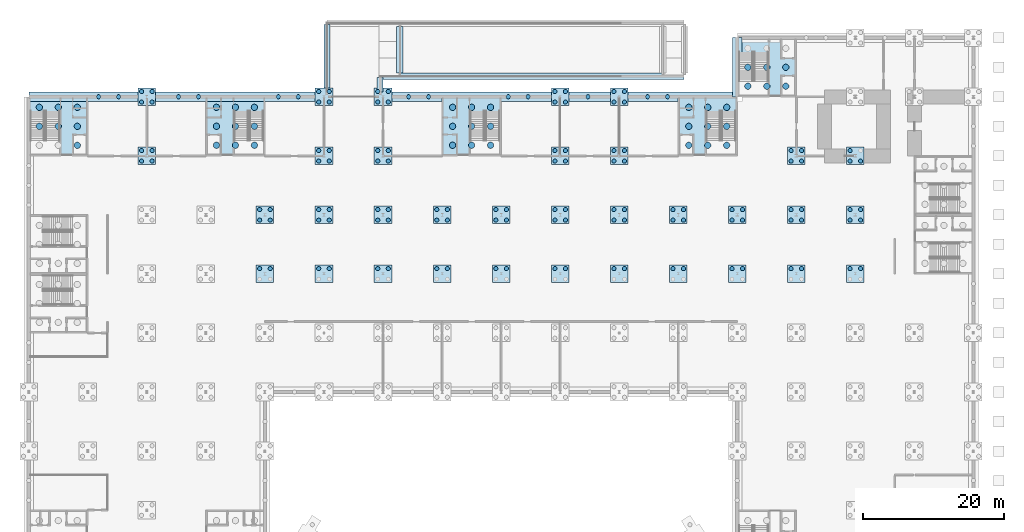
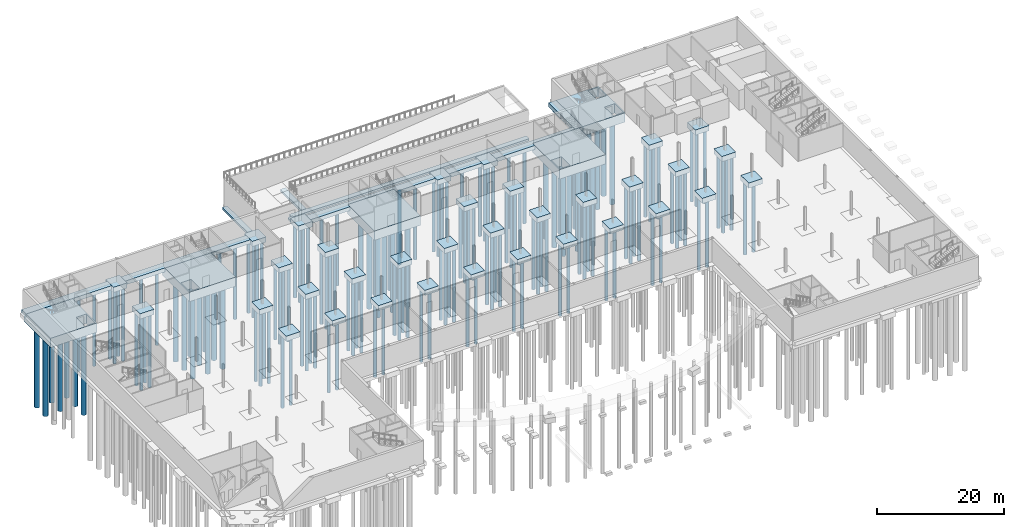
# One storey, part 3 of 35: 166 piles, 46 footings.
"""IFC4 building model written with IfcOpenShell, lengths in metres."""

import ifcopenshell
import ifcopenshell.guid

model = None  # the IFC model being written
_history = None  # IfcOwnerHistory: only IFC2X3 demands one
_inside = {}  # id of a spatial element -> (the spatial element, [elements in it])
_under = {}  # id of a project, library or spatial element -> (it, [spatial elements below it])
_declared = {}  # id of a project -> (the project, [libraries it declares])
_typed = {}  # id of a type object -> (the type object, [elements of that type])
_made_of = {}  # id of a material, layer set ... -> (it, [elements and type objects made of it])


def new_model(schema):
    """Start an empty IFC model of exactly this schema.

    Asked for "IFC4X3", IfcOpenShell would pick the latest addendum, in which some entities
    have other attributes; the version numbers below select the first issue.
    IFC2X3 requires an IfcOwnerHistory on every rooted entity: one is made here for all.
    """
    global model, _history
    if schema == "IFC4X3":
        model = ifcopenshell.file(schema_version=(4, 3, 0, 0))
    else:
        model = ifcopenshell.file(schema=schema)
    _inside.clear()
    _under.clear()
    _declared.clear()
    _typed.clear()
    _made_of.clear()
    _history = None
    if model.schema == "IFC2X3":
        org = make("IfcOrganization", Name="unknown")
        user = make(
            "IfcPersonAndOrganization",
            ThePerson=make("IfcPerson", FamilyName="unknown"),
            TheOrganization=org,
        )
        app = make(
            "IfcApplication",
            ApplicationDeveloper=org,
            Version="unknown",
            ApplicationFullName="unknown",
            ApplicationIdentifier="unknown",
        )
        _history = make(
            "IfcOwnerHistory",
            OwningUser=user,
            OwningApplication=app,
            ChangeAction="ADDED",
            CreationDate=0,
        )
    return model


def make(cls, **values):
    """One entity of the class cls with the attributes given. An attribute that is None is left unset."""
    return model.create_entity(
        cls, **{name: value for name, value in values.items() if value is not None}
    )


def rooted(cls, **values):
    """An entity with a GlobalId (a new one), such as an element, a storey or a relation."""
    return make(cls, GlobalId=ifcopenshell.guid.new(), OwnerHistory=_history, **values)


def si_unit(unit_type, name, prefix=None):
    """IfcSIUnit, for example si_unit("LENGTHUNIT", "METRE", prefix="MILLI")."""
    return make("IfcSIUnit", UnitType=unit_type, Prefix=prefix, Name=name)


def assignment(units):
    """IfcUnitAssignment: the units of a project."""
    return None if units is None else make("IfcUnitAssignment", Units=units)


def point(xyz):
    """IfcCartesianPoint."""
    return None if xyz is None else make("IfcCartesianPoint", Coordinates=xyz)


def direction(xyz):
    """IfcDirection."""
    return None if xyz is None else make("IfcDirection", DirectionRatios=xyz)


def frame(location, z_axis=None, x_axis=None):
    """IfcAxis2Placement3D, a coordinate frame: its origin and axes. An axis left out is left unset."""
    return make(
        "IfcAxis2Placement3D",
        Location=point(location),
        Axis=direction(z_axis),
        RefDirection=direction(x_axis),
    )


def frame_2d(location, x_axis=None):
    """IfcAxis2Placement2D, a coordinate frame in the plane: its origin and x axis."""
    return make(
        "IfcAxis2Placement2D", Location=point(location), RefDirection=direction(x_axis)
    )


def origin():
    """The frame at (0, 0, 0) with its axes left unset."""
    return frame((0.0, 0.0, 0.0))


def origin_2d():
    """The frame at (0, 0) in the plane with its x axis left unset."""
    return frame_2d((0.0, 0.0))


def place(relative_to, where):
    """IfcLocalPlacement: puts the frame where relative to a parent placement (None: the world)."""
    return make(
        "IfcLocalPlacement", PlacementRelTo=relative_to, RelativePlacement=where
    )


def context(
    kind, dimensions, precision=None, world=None, true_north=None, identifier=None
):
    """IfcGeometricRepresentationContext, for example the 3D "Model" context."""
    return make(
        "IfcGeometricRepresentationContext",
        ContextIdentifier=identifier,
        ContextType=kind,
        CoordinateSpaceDimension=dimensions,
        Precision=precision,
        WorldCoordinateSystem=world,
        TrueNorth=true_north,
    )


def subcontext(parent, identifier, kind, view, scale=None):
    """IfcGeometricRepresentationSubContext, for example "Body" below "Model"."""
    return make(
        "IfcGeometricRepresentationSubContext",
        ContextIdentifier=identifier,
        ContextType=kind,
        ParentContext=parent,
        TargetScale=scale,
        TargetView=view,
    )


def project(units=None, contexts=None):
    """IfcProject with its units and contexts."""
    return rooted(
        "IfcProject",
        Name="project",
        RepresentationContexts=contexts,
        UnitsInContext=assignment(units),
    )


def spatial(cls, under=None, at=None, **own):
    """A site, building, storey or space (cls), placed at a placement, below another one or the project."""
    s = rooted(cls, ObjectPlacement=at, **own)
    if under is not None:
        _under.setdefault(under.id(), (under, []))[1].append(s)
    return s


def polyline(points):
    """IfcPolyline through the points."""
    return make("IfcPolyline", Points=[point(p) for p in points])


def profile(cls, at=None, kind="AREA", **sizes):
    """A parametric profile (cls). Its sizes go by their IFC names, for example OverallWidth=200.0."""
    return make(cls, ProfileType=kind, Position=at, **sizes)


def rectangle(**sizes):
    """IfcRectangleProfileDef."""
    return profile("IfcRectangleProfileDef", **sizes)


def circle(**sizes):
    """IfcCircleProfileDef."""
    return profile("IfcCircleProfileDef", **sizes)


def outline(outer, holes=None, kind="AREA"):
    """IfcArbitraryClosedProfileDef: a profile drawn as a closed curve; with holes, ...WithVoids."""
    if holes is None:
        return make("IfcArbitraryClosedProfileDef", ProfileType=kind, OuterCurve=outer)
    return make(
        "IfcArbitraryProfileDefWithVoids",
        ProfileType=kind,
        OuterCurve=outer,
        InnerCurves=holes,
    )


def extrude(swept, where, along, depth):
    """IfcExtrudedAreaSolid: the profile swept, set in the frame where, extruded along a direction by depth."""
    return make(
        "IfcExtrudedAreaSolid",
        SweptArea=swept,
        Position=where,
        ExtrudedDirection=direction(along),
        Depth=depth,
    )


def shape(context_of_items, identifier, shape_type, items):
    """IfcShapeRepresentation: the items that make up one representation, for example the "Body"."""
    return make(
        "IfcShapeRepresentation",
        ContextOfItems=context_of_items,
        RepresentationIdentifier=identifier,
        RepresentationType=shape_type,
        Items=items,
    )


def material(Name=None, Category=None):
    """IfcMaterial."""
    return make("IfcMaterial", Name=Name, Category=Category)


def material_profile(
    of_material, cross_section, Name=None, Category=None, Priority=None
):
    """IfcMaterialProfile: a cross section and its material."""
    return make(
        "IfcMaterialProfile",
        Name=Name,
        Material=of_material,
        Profile=cross_section,
        Priority=Priority,
        Category=Category,
    )


def profile_set(profiles, Name=None, composite=None):
    """IfcMaterialProfileSet."""
    return make(
        "IfcMaterialProfileSet",
        Name=Name,
        MaterialProfiles=profiles,
        CompositeProfile=composite,
    )


def made_of(thing, what):
    """Note that an element or type object is made of a material, layer set ...; save() writes the relation."""
    if what is not None:
        _made_of.setdefault(what.id(), (what, []))[1].append(thing)
    return thing


def type_object(cls, material=None, **own):
    """A type object (cls), such as IfcWallType, which elements share."""
    return made_of(rooted(cls, **own), material)


def element(
    cls,
    number,
    at=None,
    inside=None,
    cuts=None,
    type_object=None,
    material=None,
    context=None,
    identifier="Body",
    shape_type=None,
    held_by="IfcProductDefinitionShape",
    body=None,
    shapes=None,
    **own,
):
    """One element of the class cls, such as IfcWall. Its Tag is "e" and its number.

    at: its placement. inside: the storey or other place that contains it. cuts: it is an
    opening in that element (IfcRelVoidsElement). A single representation is given by context,
    identifier, shape_type and body (its items); several are given by shapes. held_by: the class
    of the entity that holds the representations. save() writes the other relations.
    """
    e = rooted(cls, Tag="e%d" % number, ObjectPlacement=at, **own)
    if body is not None:
        shapes = [shape(context, identifier, shape_type, body)]
    if shapes is not None:
        e.Representation = make(held_by, Representations=shapes)
    if inside is not None:
        _inside.setdefault(inside.id(), (inside, []))[1].append(e)
    if cuts is not None:
        rooted(
            "IfcRelVoidsElement", RelatingBuildingElement=cuts, RelatedOpeningElement=e
        )
    if type_object is not None:
        _typed.setdefault(type_object.id(), (type_object, []))[1].append(e)
    return made_of(e, material)


def aggregate(whole, parts):
    """IfcRelAggregates: a whole, such as a stair, and the parts it consists of."""
    return rooted("IfcRelAggregates", RelatingObject=whole, RelatedObjects=parts)


def save(model, path):
    """Write the relations noted so far, then the file.

    IfcRelAggregates (storeys below a building ...), IfcRelContainedInSpatialStructure (elements
    in a storey), IfcRelDefinesByType, IfcRelAssociatesMaterial and IfcRelDeclares: one each for
    every whole, place, type object, material and project.
    """
    for whole, parts in _under.values():
        aggregate(whole, parts)
    for where, things in _inside.values():
        rooted(
            "IfcRelContainedInSpatialStructure",
            RelatedElements=things,
            RelatingStructure=where,
        )
    for kind, things in _typed.values():
        rooted("IfcRelDefinesByType", RelatedObjects=things, RelatingType=kind)
    for what, things in _made_of.values():
        rooted("IfcRelAssociatesMaterial", RelatedObjects=things, RelatingMaterial=what)
    for by, libraries in _declared.values():
        rooted("IfcRelDeclares", RelatingContext=by, RelatedDefinitions=libraries)
    model.write(path)


model = new_model("IFC4")

# Units and contexts
model_context = context("Model", 3, precision=1e-05, world=origin(), true_north=direction((0.0, 1.0)))
body_context = subcontext(model_context, "Body", "Model", "MODEL_VIEW")
ifc_project = project(units=[si_unit("LENGTHUNIT", "METRE"), si_unit("AREAUNIT", "SQUARE_METRE"), si_unit("VOLUMEUNIT", "CUBIC_METRE"), si_unit("PLANEANGLEUNIT", "RADIAN"), si_unit("MASSUNIT", "GRAM", prefix="KILO")], contexts=[model_context])

# Site, building, storey
site_placement = place(None, origin())
site = spatial("IfcSite", under=ifc_project, at=site_placement, CompositionType="ELEMENT")
building_placement = place(site_placement, origin())
building = spatial("IfcBuilding", under=site, at=building_placement, Name="Ardhachandra Cancer Care Centre", CompositionType="ELEMENT")
storey_placement = place(building_placement, frame((0.0, 0.0, -4.5)))
storey = spatial("IfcBuildingStorey", under=building, at=storey_placement, Name="B1", CompositionType="ELEMENT", Elevation=-4.5)

# Piles
ifc_material_1 = material(Name="Concrete M35", Category="concrete")
ifc_material_profile_1 = material_profile(ifc_material_1, circle(Radius=0.300048828125, at=origin_2d()), Name="D600")
ifc_profile_set_1 = profile_set([ifc_material_profile_1], Name="Concrete M35")
pile_type_1 = type_object("IfcPileType", Name="Bored pile D600", PredefinedType="BORED", material=ifc_profile_set_1)
for number, where, z_axis, x_axis, name in (
    (1, (43.64990234375, 72.14990234375, -0.89990234375), (0.0, 0.0, -1.0), (1.0, 0.0, 0.0), "Pile H5-3"),
    (2, (45.14990234375, 72.14990234375, -0.89990234375), (0.0, 0.0, -1.0), (1.0, 0.0, 0.0), "Pile H5-4"),
    (3, (52.050048828125, 72.14990234375, -0.89990234375), (0.0, 0.0, -1.0), (1.0, 0.0, 0.0), "Pile H6-3"),
    (4, (53.550048828125, 72.14990234375, -0.89990234375), (0.0, 0.0, -1.0), (1.0, 0.0, 0.0), "Pile H6-4"),
    (5, (60.449951171875, 72.14990234375, -0.89990234375), (0.0, 0.0, -1.0), (1.0, 0.0, 0.0), "Pile H7-3"),
    (6, (61.949951171875, 72.14990234375, -0.89990234375), (0.0, 0.0, -1.0), (1.0, 0.0, 0.0), "Pile H7-4"),
    (7, (68.85009765625, 72.14990234375, -0.89990234375), (0.0, 0.0, -1.0), (1.0, 0.0, 0.0), "Pile H8-3"),
    (8, (70.35009765625, 72.14990234375, -0.89990234375), (0.0, 0.0, -1.0), (1.0, 0.0, 0.0), "Pile H8-4"),
    (9, (77.25, 72.14990234375, -0.89990234375), (0.0, 0.0, -1.0), (1.0, 0.0, 0.0), "Pile H9-3"),
    (10, (78.75, 72.14990234375, -0.89990234375), (0.0, 0.0, -1.0), (1.0, 0.0, 0.0), "Pile H9-4"),
    (11, (85.64990234375, 72.14990234375, -0.89990234375), (0.0, 0.0, -1.0), (1.0, 0.0, 0.0), "Pile H10-3"),
    (12, (87.14990234375, 72.14990234375, -0.89990234375), (0.0, 0.0, -1.0), (1.0, 0.0, 0.0), "Pile H10-4"),
    (13, (94.050048828125, 72.14990234375, -0.89990234375), (0.0, 0.0, -1.0), (1.0, 0.0, 0.0), "Pile H11-3"),
    (14, (95.550048828125, 72.14990234375, -0.89990234375), (0.0, 0.0, -1.0), (1.0, 0.0, 0.0), "Pile H11-4"),
    (15, (102.449951171875, 72.14990234375, -0.89990234375), (0.0, 0.0, -1.0), (1.0, 0.0, 0.0), "Pile H12-3"),
    (16, (103.949951171875, 72.14990234375, -0.89990234375), (0.0, 0.0, -1.0), (1.0, 0.0, 0.0), "Pile H12-4"),
    (17, (110.85009765625, 72.14990234375, -0.89990234375), (0.0, 0.0, -1.0), (1.0, 0.0, 0.0), "Pile H13-3"),
    (18, (112.35009765625, 72.14990234375, -0.89990234375), (0.0, 0.0, -1.0), (1.0, 0.0, 0.0), "Pile H13-4"),
    (19, (119.25, 72.14990234375, -0.89990234375), (0.0, 0.0, -1.0), (1.0, 0.0, 0.0), "Pile H14-3"),
    (20, (120.75, 72.14990234375, -0.89990234375), (0.0, 0.0, -1.0), (1.0, 0.0, 0.0), "Pile H14-4"),
    (21, (127.64990234375, 72.14990234375, -0.89990234375), (0.0, 0.0, -1.0), (1.0, 0.0, 0.0), "Pile H15-3"),
    (22, (129.14990234375, 72.14990234375, -0.89990234375), (0.0, 0.0, -1.0), (1.0, 0.0, 0.0), "Pile H15-4"),
    (23, (43.64990234375, 79.050048828125, -0.89990234375), (0.0, 0.0, -1.0), (1.0, 0.0, 0.0), "Pile J5-1"),
    (24, (45.14990234375, 79.050048828125, -0.89990234375), (0.0, 0.0, -1.0), (1.0, 0.0, 0.0), "Pile J5-2"),
    (25, (43.64990234375, 80.550048828125, -0.89990234375), (0.0, 0.0, -1.0), (1.0, 0.0, 0.0), "Pile J5-3"),
    (26, (45.14990234375, 80.550048828125, -0.89990234375), (0.0, 0.0, -1.0), (1.0, 0.0, 0.0), "Pile J5-4"),
    (27, (52.050048828125, 79.050048828125, -0.89990234375), (0.0, 0.0, -1.0), (1.0, 0.0, 0.0), "Pile J6-1"),
    (28, (53.550048828125, 79.050048828125, -0.89990234375), (0.0, 0.0, -1.0), (1.0, 0.0, 0.0), "Pile J6-2"),
    (29, (52.050048828125, 80.550048828125, -0.89990234375), (0.0, 0.0, -1.0), (1.0, 0.0, 0.0), "Pile J6-3"),
    (30, (53.550048828125, 80.550048828125, -0.89990234375), (0.0, 0.0, -1.0), (1.0, 0.0, 0.0), "Pile J6-4"),
    (31, (60.449951171875, 79.050048828125, -0.89990234375), (0.0, 0.0, -1.0), (1.0, 0.0, 0.0), "Pile J7-1"),
    (32, (61.949951171875, 79.050048828125, -0.89990234375), (0.0, 0.0, -1.0), (1.0, 0.0, 0.0), "Pile J7-2"),
    (33, (60.449951171875, 80.550048828125, -0.89990234375), (0.0, 0.0, -1.0), (1.0, 0.0, 0.0), "Pile J7-3"),
    (34, (61.949951171875, 80.550048828125, -0.89990234375), (0.0, 0.0, -1.0), (1.0, 0.0, 0.0), "Pile J7-4"),
    (35, (68.85009765625, 79.050048828125, -0.89990234375), (0.0, 0.0, -1.0), (1.0, 0.0, 0.0), "Pile J8-1"),
    (36, (70.35009765625, 79.050048828125, -0.89990234375), (0.0, 0.0, -1.0), (1.0, 0.0, 0.0), "Pile J8-2"),
    (37, (68.85009765625, 80.550048828125, -0.89990234375), (0.0, 0.0, -1.0), (1.0, 0.0, 0.0), "Pile J8-3"),
    (38, (70.35009765625, 80.550048828125, -0.89990234375), (0.0, 0.0, -1.0), (1.0, 0.0, 0.0), "Pile J8-4"),
    (39, (77.25, 79.050048828125, -0.89990234375), (0.0, 0.0, -1.0), (1.0, 0.0, 0.0), "Pile J9-1"),
    (40, (78.75, 79.050048828125, -0.89990234375), (0.0, 0.0, -1.0), (1.0, 0.0, 0.0), "Pile J9-2"),
    (41, (77.25, 80.550048828125, -0.89990234375), (0.0, 0.0, -1.0), (1.0, 0.0, 0.0), "Pile J9-3"),
    (42, (78.75, 80.550048828125, -0.89990234375), (0.0, 0.0, -1.0), (1.0, 0.0, 0.0), "Pile J9-4"),
    (43, (85.64990234375, 79.050048828125, -0.89990234375), (0.0, 0.0, -1.0), (1.0, 0.0, 0.0), "Pile J10-1"),
    (44, (87.14990234375, 79.050048828125, -0.89990234375), (0.0, 0.0, -1.0), (1.0, 0.0, 0.0), "Pile J10-2"),
    (45, (85.64990234375, 80.550048828125, -0.89990234375), (0.0, 0.0, -1.0), (1.0, 0.0, 0.0), "Pile J10-3"),
    (46, (87.14990234375, 80.550048828125, -0.89990234375), (0.0, 0.0, -1.0), (1.0, 0.0, 0.0), "Pile J10-4"),
    (47, (94.050048828125, 79.050048828125, -0.89990234375), (0.0, 0.0, -1.0), (1.0, 0.0, 0.0), "Pile J11-1"),
    (48, (95.550048828125, 79.050048828125, -0.89990234375), (0.0, 0.0, -1.0), (1.0, 0.0, 0.0), "Pile J11-2"),
    (49, (94.050048828125, 80.550048828125, -0.89990234375), (0.0, 0.0, -1.0), (1.0, 0.0, 0.0), "Pile J11-3"),
    (50, (95.550048828125, 80.550048828125, -0.89990234375), (0.0, 0.0, -1.0), (1.0, 0.0, 0.0), "Pile J11-4"),
    (51, (102.449951171875, 79.050048828125, -0.89990234375), (0.0, 0.0, -1.0), (1.0, 0.0, 0.0), "Pile J12-1"),
    (52, (103.949951171875, 79.050048828125, -0.89990234375), (0.0, 0.0, -1.0), (1.0, 0.0, 0.0), "Pile J12-2"),
    (53, (102.449951171875, 80.550048828125, -0.89990234375), (0.0, 0.0, -1.0), (1.0, 0.0, 0.0), "Pile J12-3"),
    (54, (103.949951171875, 80.550048828125, -0.89990234375), (0.0, 0.0, -1.0), (1.0, 0.0, 0.0), "Pile J12-4"),
    (55, (110.85009765625, 79.050048828125, -0.89990234375), (0.0, 0.0, -1.0), (1.0, 0.0, 0.0), "Pile J13-1"),
    (56, (112.35009765625, 79.050048828125, -0.89990234375), (0.0, 0.0, -1.0), (1.0, 0.0, 0.0), "Pile J13-2"),
    (57, (110.85009765625, 80.550048828125, -0.89990234375), (0.0, 0.0, -1.0), (1.0, 0.0, 0.0), "Pile J13-3"),
    (58, (112.35009765625, 80.550048828125, -0.89990234375), (0.0, 0.0, -1.0), (1.0, 0.0, 0.0), "Pile J13-4"),
    (59, (119.25, 79.050048828125, -0.89990234375), (0.0, 0.0, -1.0), (1.0, 0.0, 0.0), "Pile J14-1"),
    (60, (120.75, 79.050048828125, -0.89990234375), (0.0, 0.0, -1.0), (1.0, 0.0, 0.0), "Pile J14-2"),
    (61, (119.25, 80.550048828125, -0.89990234375), (0.0, 0.0, -1.0), (1.0, 0.0, 0.0), "Pile J14-3"),
    (62, (120.75, 80.550048828125, -0.89990234375), (0.0, 0.0, -1.0), (1.0, 0.0, 0.0), "Pile J14-4"),
    (63, (127.64990234375, 79.050048828125, -0.89990234375), (0.0, 0.0, -1.0), (1.0, 0.0, 0.0), "Pile J15-1"),
    (64, (129.14990234375, 79.050048828125, -0.89990234375), (0.0, 0.0, -1.0), (1.0, 0.0, 0.0), "Pile J15-2"),
    (65, (127.64990234375, 80.550048828125, -0.89990234375), (0.0, 0.0, -1.0), (1.0, 0.0, 0.0), "Pile J15-3"),
    (66, (129.14990234375, 80.550048828125, -0.89990234375), (0.0, 0.0, -1.0), (1.0, 0.0, 0.0), "Pile J15-4"),
    (67, (26.85009765625, 87.449951171875, -0.89990234375), (0.0, 0.0, -1.0), (1.0, 0.0, 0.0), "Pile K3-1"),
    (68, (28.35009765625, 87.449951171875, -0.89990234375), (0.0, 0.0, -1.0), (1.0, 0.0, 0.0), "Pile K3-2"),
    (69, (26.85009765625, 88.949951171875, -0.89990234375), (0.0, 0.0, -1.0), (1.0, 0.0, 0.0), "Pile K3-3"),
    (70, (28.35009765625, 88.949951171875, -0.89990234375), (0.0, 0.0, -1.0), (1.0, 0.0, 0.0), "Pile K3-4"),
    (71, (52.050048828125, 87.449951171875, -0.89990234375), (0.0, 0.0, -1.0), (1.0, 0.0, 0.0), "Pile K6-1"),
    (72, (53.550048828125, 87.449951171875, -0.89990234375), (0.0, 0.0, -1.0), (1.0, 0.0, 0.0), "Pile K6-2"),
    (73, (52.050048828125, 88.949951171875, -0.89990234375), (0.0, 0.0, -1.0), (1.0, 0.0, 0.0), "Pile K6-3"),
    (74, (53.550048828125, 88.949951171875, -0.89990234375), (0.0, 0.0, -1.0), (1.0, 0.0, 0.0), "Pile K6-4"),
    (75, (60.449951171875, 87.449951171875, -0.89990234375), (0.0, 0.0, -1.0), (1.0, 0.0, 0.0), "Pile K7-1"),
    (76, (61.949951171875, 87.449951171875, -0.89990234375), (0.0, 0.0, -1.0), (1.0, 0.0, 0.0), "Pile K7-2"),
    (77, (60.449951171875, 88.949951171875, -0.89990234375), (0.0, 0.0, -1.0), (1.0, 0.0, 0.0), "Pile K7-3"),
    (78, (61.949951171875, 88.949951171875, -0.89990234375), (0.0, 0.0, -1.0), (1.0, 0.0, 0.0), "Pile K7-4"),
    (79, (85.64990234375, 87.449951171875, -0.89990234375), (0.0, 0.0, -1.0), (1.0, 0.0, 0.0), "Pile K10-1"),
    (80, (87.14990234375, 87.449951171875, -0.89990234375), (0.0, 0.0, -1.0), (1.0, 0.0, 0.0), "Pile K10-2"),
    (81, (85.64990234375, 88.949951171875, -0.89990234375), (0.0, 0.0, -1.0), (1.0, 0.0, 0.0), "Pile K10-3"),
    (82, (87.14990234375, 88.949951171875, -0.89990234375), (0.0, 0.0, -1.0), (1.0, 0.0, 0.0), "Pile K10-4"),
    (83, (94.050048828125, 87.449951171875, -0.89990234375), (0.0, 0.0, -1.0), (1.0, 0.0, 0.0), "Pile K11-1"),
    (84, (95.550048828125, 87.449951171875, -0.89990234375), (0.0, 0.0, -1.0), (1.0, 0.0, 0.0), "Pile K11-2"),
    (85, (94.050048828125, 88.949951171875, -0.89990234375), (0.0, 0.0, -1.0), (1.0, 0.0, 0.0), "Pile K11-3"),
    (86, (95.550048828125, 88.949951171875, -0.89990234375), (0.0, 0.0, -1.0), (1.0, 0.0, 0.0), "Pile K11-4"),
    (87, (119.25, 87.449951171875, -0.89990234375), (0.0, 0.0, -1.0), (1.0, 0.0, 0.0), "Pile K14-1"),
    (88, (120.75, 87.449951171875, -0.89990234375), (0.0, 0.0, -1.0), (1.0, 0.0, 0.0), "Pile K14-2"),
    (89, (119.25, 88.949951171875, -0.89990234375), (0.0, 0.0, -1.0), (1.0, 0.0, 0.0), "Pile K14-3"),
    (90, (120.75, 88.949951171875, -0.89990234375), (0.0, 0.0, -1.0), (1.0, 0.0, 0.0), "Pile K14-4"),
    (91, (127.64990234375, 87.449951171875, -0.89990234375), (0.0, 0.0, -1.0), (1.0, 0.0, 0.0), "Pile K15-1"),
    (92, (129.14990234375, 87.449951171875, -0.89990234375), (0.0, 0.0, -1.0), (1.0, 0.0, 0.0), "Pile K15-2"),
    (93, (127.64990234375, 88.949951171875, -0.89990234375), (0.0, 0.0, -1.0), (1.0, 0.0, 0.0), "Pile K15-3"),
    (94, (26.85009765625, 95.85009765625, -0.89990234375), (0.0, 0.0, -1.0), (1.0, 0.0, 0.0), "Pile L3-1"),
    (95, (28.35009765625, 95.85009765625, -0.89990234375), (0.0, 0.0, -1.0), (1.0, 0.0, 0.0), "Pile L3-2"),
    (96, (26.85009765625, 97.35009765625, -0.89990234375), (0.0, 0.0, -1.0), (1.0, 0.0, 0.0), "Pile L3-3"),
    (97, (28.35009765625, 97.35009765625, -0.89990234375), (0.0, 0.0, -1.0), (1.0, 0.0, 0.0), "Pile L3-4"),
    (98, (52.050048828125, 95.85009765625, -0.89990234375), (0.0, 0.0, -1.0), (1.0, 0.0, 0.0), "Pile L6-1"),
    (99, (53.550048828125, 95.85009765625, -0.89990234375), (0.0, 0.0, -1.0), (1.0, 0.0, 0.0), "Pile L6-2"),
    (100, (52.050048828125, 97.35009765625, -0.89990234375), (0.0, 0.0, -1.0), (1.0, 0.0, 0.0), "Pile L6-3"),
    (101, (53.550048828125, 97.35009765625, -0.89990234375), (0.0, 0.0, -1.0), (1.0, 0.0, 0.0), "Pile L6-4"),
    (102, (60.449951171875, 95.85009765625, -0.89990234375), (0.0, 0.0, -1.0), (1.0, 0.0, 0.0), "Pile L7-1"),
    (103, (61.949951171875, 95.85009765625, -0.89990234375), (0.0, 0.0, -1.0), (1.0, 0.0, 0.0), "Pile L7-2"),
    (104, (60.449951171875, 97.35009765625, -0.89990234375), (0.0, 0.0, -1.0), (1.0, 0.0, 0.0), "Pile L7-3"),
    (105, (61.949951171875, 97.35009765625, -0.89990234375), (0.0, 0.0, -1.0), (1.0, 0.0, 0.0), "Pile L7-4"),
    (106, (85.64990234375, 95.85009765625, -0.89990234375), (0.0, 0.0, -1.0), (1.0, 0.0, 0.0), "Pile L10-1"),
    (107, (87.14990234375, 95.85009765625, -0.89990234375), (0.0, 0.0, -1.0), (1.0, 0.0, 0.0), "Pile L10-2"),
    (108, (85.64990234375, 97.35009765625, -0.89990234375), (0.0, 0.0, -1.0), (1.0, 0.0, 0.0), "Pile L10-3"),
    (109, (87.14990234375, 97.35009765625, -0.89990234375), (0.0, 0.0, -1.0), (1.0, 0.0, 0.0), "Pile L10-4"),
    (110, (94.050048828125, 95.85009765625, -0.89990234375), (0.0, 0.0, -1.0), (1.0, 0.0, 0.0), "Pile L11-1"),
    (111, (95.550048828125, 95.85009765625, -0.89990234375), (0.0, 0.0, -1.0), (1.0, 0.0, 0.0), "Pile L11-2"),
    (112, (94.050048828125, 97.35009765625, -0.89990234375), (0.0, 0.0, -1.0), (1.0, 0.0, 0.0), "Pile L11-3"),
    (113, (95.550048828125, 97.35009765625, -0.89990234375), (0.0, 0.0, -1.0), (1.0, 0.0, 0.0), "Pile L11-4"),
    (114, (101.683349609375, 96.60009765625, -0.64990234375), (0.0, 0.0, -1.0), (1.0, 0.0, 0.0), "Pile W07-04"),
    (115, (98.85009765625, 96.60009765625, -0.64990234375), (0.0, 0.0, -1.0), (1.0, 0.0, 0.0), "Pile W07-05"),
    (116, (90.35009765625, 96.60009765625, -0.64990234375), (0.0, 0.0, -1.0), (1.0, 0.0, 0.0), "Pile W07-08"),
    (117, (81.85009765625, 96.60009765625, -0.64990234375), (0.0, 0.0, -1.0), (1.0, 0.0, 0.0), "Pile W07-11"),
    (118, (79.0166015625, 96.60009765625, -0.64990234375), (0.0, 0.0, -1.0), (1.0, 0.0, 0.0), "Pile W07-12"),
    (119, (67.683349609375, 96.60009765625, -0.64990234375), (0.0, 0.0, -1.0), (1.0, 0.0, 0.0), "Pile W07-16"),
    (120, (64.85009765625, 96.60009765625, -0.64990234375), (0.0, 0.0, -1.0), (1.0, 0.0, 0.0), "Pile W07-17"),
    (121, (49.139892578125, 96.60009765625, -0.64990234375), (0.0, 0.0, -1.0), (1.0, 0.0, 0.0), "Pile W08-02"),
    (122, (46.300048828125, 96.60009765625, -0.64990234375), (0.0, 0.0, -1.0), (1.0, 0.0, 0.0), "Pile W08-03"),
    (123, (34.93994140625, 96.60009765625, -0.64990234375), (0.0, 0.0, -1.0), (1.0, 0.0, 0.0), "Pile W08-07"),
    (124, (32.10009765625, 96.60009765625, -0.64990234375), (0.0, 0.0, -1.0), (1.0, 0.0, 0.0), "Pile W08-08"),
    (125, (23.580078125, 96.60009765625, -0.64990234375), (0.0, 0.0, -1.0), (1.0, 0.0, 0.0), "Pile W08-11"),
    (126, (20.739990234375, 96.60009765625, -0.64990234375), (0.0, 0.0, -1.0), (1.0, 0.0, 0.0), "Pile W08-12"),
):
    element("IfcPile", number, at=place(storey_placement, frame(where, z_axis=z_axis, x_axis=x_axis)), inside=storey, type_object=pile_type_1, Name=name, PredefinedType="BORED", context=body_context, shape_type="SweptSolid", body=[
        extrude(circle(Radius=0.300048828125, at=origin_2d()), origin(), (0.0, 0.0, 1.0), 14.10009765625),
    ])
ifc_material_2 = material(Name="Concrete M35", Category="concrete")
ifc_material_profile_2 = material_profile(ifc_material_2, circle(Radius=0.449951171875, at=origin_2d()), Name="D900")
ifc_profile_set_2 = profile_set([ifc_material_profile_2], Name="Concrete M35")
pile_type_2 = type_object("IfcPileType", Name="Bored pile D900", PredefinedType="BORED", material=ifc_profile_set_2)
for number, where, z_axis, x_axis, name in (
    (127, (17.699951171875, 89.699951171875, -1.699951171875), (0.0, 0.0, -1.0), (1.0, 0.0, 0.0), "Pile K4-3"),
    (128, (12.300048828125, 92.39990234375, -1.699951171875), (0.0, 0.0, -1.0), (1.0, 0.0, 0.0), "Pile K4-4"),
    (129, (15.0, 92.39990234375, -1.699951171875), (0.0, 0.0, -1.0), (1.0, 0.0, 0.0), "Pile K4-5"),
    (130, (17.699951171875, 92.39990234375, -1.699951171875), (0.0, 0.0, -1.0), (1.0, 0.0, 0.0), "Pile K4-6"),
    (131, (12.300048828125, 95.10009765625, -1.699951171875), (0.0, 0.0, -1.0), (1.0, 0.0, 0.0), "Pile K4-7"),
    (132, (15.0, 95.10009765625, -1.699951171875), (0.0, 0.0, -1.0), (1.0, 0.0, 0.0), "Pile K4-8"),
    (133, (17.699951171875, 95.10009765625, -1.699951171875), (0.0, 0.0, -1.0), (1.0, 0.0, 0.0), "Pile K4-9"),
    (134, (37.5, 89.699951171875, -1.699951171875), (0.0, 0.0, -1.0), (1.0, 0.0, 0.0), "Pile K5-1"),
    (135, (40.199951171875, 89.699951171875, -1.699951171875), (0.0, 0.0, -1.0), (1.0, 0.0, 0.0), "Pile K5-2"),
    (136, (42.89990234375, 89.699951171875, -1.699951171875), (0.0, 0.0, -1.0), (1.0, 0.0, 0.0), "Pile K5-3"),
    (137, (37.5, 92.39990234375, -1.699951171875), (0.0, 0.0, -1.0), (1.0, 0.0, 0.0), "Pile K5-4"),
    (138, (40.199951171875, 92.39990234375, -1.699951171875), (0.0, 0.0, -1.0), (1.0, 0.0, 0.0), "Pile K5-5"),
    (139, (42.89990234375, 92.39990234375, -1.699951171875), (0.0, 0.0, -1.0), (1.0, 0.0, 0.0), "Pile K5-6"),
    (140, (37.5, 95.10009765625, -1.699951171875), (0.0, 0.0, -1.0), (1.0, 0.0, 0.0), "Pile K5-7"),
    (141, (40.199951171875, 95.10009765625, -1.699951171875), (0.0, 0.0, -1.0), (1.0, 0.0, 0.0), "Pile K5-8"),
    (142, (42.89990234375, 95.10009765625, -1.699951171875), (0.0, 0.0, -1.0), (1.0, 0.0, 0.0), "Pile K5-9"),
    (143, (104.699951171875, 89.699951171875, -1.699951171875), (0.0, 0.0, -1.0), (1.0, 0.0, 0.0), "Pile K7-1"),
    (144, (107.39990234375, 89.699951171875, -1.699951171875), (0.0, 0.0, -1.0), (1.0, 0.0, 0.0), "Pile K7-2"),
    (145, (110.10009765625, 89.699951171875, -1.699951171875), (0.0, 0.0, -1.0), (1.0, 0.0, 0.0), "Pile K7-3"),
    (146, (104.699951171875, 92.39990234375, -1.699951171875), (0.0, 0.0, -1.0), (1.0, 0.0, 0.0), "Pile K7-4"),
    (147, (107.39990234375, 92.39990234375, -1.699951171875), (0.0, 0.0, -1.0), (1.0, 0.0, 0.0), "Pile K7-5"),
    (148, (110.10009765625, 92.39990234375, -1.699951171875), (0.0, 0.0, -1.0), (1.0, 0.0, 0.0), "Pile K7-6"),
    (149, (104.699951171875, 95.10009765625, -1.699951171875), (0.0, 0.0, -1.0), (1.0, 0.0, 0.0), "Pile K7-7"),
    (150, (107.39990234375, 95.10009765625, -1.699951171875), (0.0, 0.0, -1.0), (1.0, 0.0, 0.0), "Pile K7-8"),
    (151, (110.10009765625, 95.10009765625, -1.699951171875), (0.0, 0.0, -1.0), (1.0, 0.0, 0.0), "Pile K7-9"),
    (152, (71.10009765625, 89.699951171875, -1.699951171875), (0.0, 0.0, -1.0), (1.0, 0.0, 0.0), "Pile K8-1"),
    (153, (73.800048828125, 89.699951171875, -1.699951171875), (0.0, 0.0, -1.0), (1.0, 0.0, 0.0), "Pile K8-2"),
    (154, (76.5, 89.699951171875, -1.699951171875), (0.0, 0.0, -1.0), (1.0, 0.0, 0.0), "Pile K8-3"),
    (155, (71.10009765625, 92.39990234375, -1.699951171875), (0.0, 0.0, -1.0), (1.0, 0.0, 0.0), "Pile K8-4"),
    (156, (73.800048828125, 92.39990234375, -1.699951171875), (0.0, 0.0, -1.0), (1.0, 0.0, 0.0), "Pile K8-5"),
    (157, (76.5, 92.39990234375, -1.699951171875), (0.0, 0.0, -1.0), (1.0, 0.0, 0.0), "Pile K8-6"),
    (158, (71.10009765625, 95.10009765625, -1.699951171875), (0.0, 0.0, -1.0), (1.0, 0.0, 0.0), "Pile K8-7"),
    (159, (73.800048828125, 95.10009765625, -1.699951171875), (0.0, 0.0, -1.0), (1.0, 0.0, 0.0), "Pile K8-8"),
    (160, (76.5, 95.10009765625, -1.699951171875), (0.0, 0.0, -1.0), (1.0, 0.0, 0.0), "Pile K8-9"),
    (161, (113.10009765625, 98.10009765625, -1.699951171875), (0.0, 0.0, -1.0), (1.0, 0.0, 0.0), "Pile K12-1"),
    (162, (115.800048828125, 98.10009765625, -1.699951171875), (0.0, 0.0, -1.0), (1.0, 0.0, 0.0), "Pile K12-2"),
    (163, (118.5, 98.10009765625, -1.699951171875), (0.0, 0.0, -1.0), (1.0, 0.0, 0.0), "Pile K12-3"),
    (164, (113.10009765625, 100.800048828125, -1.699951171875), (0.0, 0.0, -1.0), (1.0, 0.0, 0.0), "Pile K12-4"),
    (165, (115.800048828125, 100.800048828125, -1.699951171875), (0.0, 0.0, -1.0), (1.0, 0.0, 0.0), "Pile K12-5"),
    (166, (118.5, 100.800048828125, -1.699951171875), (0.0, 0.0, -1.0), (1.0, 0.0, 0.0), "Pile K12-6"),
):
    element("IfcPile", number, at=place(storey_placement, frame(where, z_axis=z_axis, x_axis=x_axis)), inside=storey, type_object=pile_type_2, Name=name, PredefinedType="BORED", context=body_context, shape_type="SweptSolid", body=[
        extrude(circle(Radius=0.449951171875, at=origin_2d()), origin(), (0.0, 0.0, 1.0), 16.10009765625),
    ])

# Footings
ifc_material_3 = material(Name="Concrete M40", Category="concrete")
footing_type_1 = type_object("IfcFootingType", Name="Core raft 8400x8400x1800", PredefinedType="PILE_CAP", material=ifc_material_3)
footing_1_placement = place(storey_placement, frame((0.0, 0.0, -1.800048828125)))
element("IfcFooting", 167, at=footing_1_placement, inside=storey, type_object=footing_type_1, Name="Core raft K4", PredefinedType="PILE_CAP", context=body_context, shape_type="SweptSolid", body=[
    extrude(outline(polyline([(10.800048828125, 88.199951171875), (19.199951171875, 88.199951171875), (19.199951171875, 96.60009765625), (10.800048828125, 96.60009765625), (10.800048828125, 88.199951171875)]), holes=[polyline([(17.14990234375, 88.39990234375), (19.0, 88.39990234375), (19.0, 91.14990234375), (17.14990234375, 91.14990234375), (17.14990234375, 88.39990234375)])]), origin(), (0.0, 0.0, 1.0), 1.800048828125),
])
footing_2_placement = place(storey_placement, frame((0.0, 0.0, -1.800048828125)))
element("IfcFooting", 168, at=footing_2_placement, inside=storey, type_object=footing_type_1, Name="Core raft K5", PredefinedType="PILE_CAP", context=body_context, shape_type="SweptSolid", body=[
    extrude(outline(polyline([(36.0, 88.199951171875), (44.39990234375, 88.199951171875), (44.39990234375, 96.60009765625), (36.0, 96.60009765625), (36.0, 88.199951171875)]), holes=[polyline([(36.199951171875, 88.39990234375), (38.050048828125, 88.39990234375), (38.050048828125, 91.14990234375), (36.199951171875, 91.14990234375), (36.199951171875, 88.39990234375)])]), origin(), (0.0, 0.0, 1.0), 1.800048828125),
])
footing_3_placement = place(storey_placement, frame((0.0, 0.0, -1.800048828125)))
element("IfcFooting", 169, at=footing_3_placement, inside=storey, type_object=footing_type_1, Name="Core raft K7", PredefinedType="PILE_CAP", context=body_context, shape_type="SweptSolid", body=[
    extrude(outline(polyline([(103.199951171875, 88.199951171875), (111.60009765625, 88.199951171875), (111.60009765625, 96.60009765625), (103.199951171875, 96.60009765625), (103.199951171875, 88.199951171875)]), holes=[polyline([(103.39990234375, 88.39990234375), (105.25, 88.39990234375), (105.25, 91.14990234375), (103.39990234375, 91.14990234375), (103.39990234375, 88.39990234375)])]), origin(), (0.0, 0.0, 1.0), 1.800048828125),
])
footing_4_placement = place(storey_placement, frame((0.0, 0.0, -1.800048828125)))
element("IfcFooting", 170, at=footing_4_placement, inside=storey, type_object=footing_type_1, Name="Core raft K8", PredefinedType="PILE_CAP", context=body_context, shape_type="SweptSolid", body=[
    extrude(outline(polyline([(69.60009765625, 88.199951171875), (78.0, 88.199951171875), (78.0, 96.60009765625), (69.60009765625, 96.60009765625), (69.60009765625, 88.199951171875)])), origin(), (0.0, 0.0, 1.0), 1.800048828125),
])
footing_5_placement = place(storey_placement, frame((0.0, 0.0, -1.800048828125)))
element("IfcFooting", 171, at=footing_5_placement, inside=storey, type_object=footing_type_1, Name="Core raft K12", PredefinedType="PILE_CAP", context=body_context, shape_type="SweptSolid", body=[
    extrude(outline(polyline([(111.60009765625, 96.60009765625), (120.0, 96.60009765625), (120.0, 105.0), (111.60009765625, 105.0), (111.60009765625, 96.60009765625)]), holes=[polyline([(117.949951171875, 96.800048828125), (119.800048828125, 96.800048828125), (119.800048828125, 99.550048828125), (117.949951171875, 99.550048828125), (117.949951171875, 96.800048828125)]), polyline([(117.949951171875, 102.125), (119.800048828125, 102.125), (119.800048828125, 104.77490234375), (117.949951171875, 104.77490234375), (117.949951171875, 102.125)])]), origin(), (0.0, 0.0, 1.0), 1.800048828125),
])
ifc_material_4 = material(Name="Concrete M40", Category="concrete")
footing_type_2 = type_object("IfcFootingType", Name="Pile cap 2500x2500x1000", PredefinedType="PILE_CAP", material=ifc_material_4)
for number, where, z_axis, x_axis, name in (
    (172, (44.39990234375, 71.39990234375, -1.0), (0.0, 0.0, 1.0), (1.0, 0.0, 0.0), "Pile cap H5"),
    (173, (52.800048828125, 71.39990234375, -1.0), (0.0, 0.0, 1.0), (1.0, 0.0, 0.0), "Pile cap H6"),
    (174, (61.199951171875, 71.39990234375, -1.0), (0.0, 0.0, 1.0), (1.0, 0.0, 0.0), "Pile cap H7"),
    (175, (69.60009765625, 71.39990234375, -1.0), (0.0, 0.0, 1.0), (1.0, 0.0, 0.0), "Pile cap H8"),
    (176, (78.0, 71.39990234375, -1.0), (0.0, 0.0, 1.0), (1.0, 0.0, 0.0), "Pile cap H9"),
    (177, (86.39990234375, 71.39990234375, -1.0), (0.0, 0.0, 1.0), (1.0, 0.0, 0.0), "Pile cap H10"),
    (178, (94.800048828125, 71.39990234375, -1.0), (0.0, 0.0, 1.0), (1.0, 0.0, 0.0), "Pile cap H11"),
    (179, (103.199951171875, 71.39990234375, -1.0), (0.0, 0.0, 1.0), (1.0, 0.0, 0.0), "Pile cap H12"),
    (180, (111.60009765625, 71.39990234375, -1.0), (0.0, 0.0, 1.0), (1.0, 0.0, 0.0), "Pile cap H13"),
    (181, (120.0, 71.39990234375, -1.0), (0.0, 0.0, 1.0), (1.0, 0.0, 0.0), "Pile cap H14"),
    (182, (128.39990234375, 71.39990234375, -1.0), (0.0, 0.0, 1.0), (1.0, 0.0, 0.0), "Pile cap H15"),
    (183, (44.39990234375, 79.800048828125, -1.0), (0.0, 0.0, 1.0), (1.0, 0.0, 0.0), "Pile cap J5"),
    (184, (52.800048828125, 79.800048828125, -1.0), (0.0, 0.0, 1.0), (1.0, 0.0, 0.0), "Pile cap J6"),
    (185, (61.199951171875, 79.800048828125, -1.0), (0.0, 0.0, 1.0), (1.0, 0.0, 0.0), "Pile cap J7"),
    (186, (69.60009765625, 79.800048828125, -1.0), (0.0, 0.0, 1.0), (1.0, 0.0, 0.0), "Pile cap J8"),
    (187, (78.0, 79.800048828125, -1.0), (0.0, 0.0, 1.0), (1.0, 0.0, 0.0), "Pile cap J9"),
    (188, (86.39990234375, 79.800048828125, -1.0), (0.0, 0.0, 1.0), (1.0, 0.0, 0.0), "Pile cap J10"),
    (189, (94.800048828125, 79.800048828125, -1.0), (0.0, 0.0, 1.0), (1.0, 0.0, 0.0), "Pile cap J11"),
    (190, (103.199951171875, 79.800048828125, -1.0), (0.0, 0.0, 1.0), (1.0, 0.0, 0.0), "Pile cap J12"),
    (191, (111.60009765625, 79.800048828125, -1.0), (0.0, 0.0, 1.0), (1.0, 0.0, 0.0), "Pile cap J13"),
    (192, (120.0, 79.800048828125, -1.0), (0.0, 0.0, 1.0), (1.0, 0.0, 0.0), "Pile cap J14"),
    (193, (128.39990234375, 79.800048828125, -1.0), (0.0, 0.0, 1.0), (1.0, 0.0, 0.0), "Pile cap J15"),
    (194, (27.60009765625, 88.199951171875, -1.0), (0.0, 0.0, 1.0), (1.0, 0.0, 0.0), "Pile cap K3"),
    (195, (52.800048828125, 88.199951171875, -1.0), (0.0, 0.0, 1.0), (1.0, 0.0, 0.0), "Pile cap K6"),
    (196, (61.199951171875, 88.199951171875, -1.0), (0.0, 0.0, 1.0), (1.0, 0.0, 0.0), "Pile cap K7"),
    (197, (86.39990234375, 88.199951171875, -1.0), (0.0, 0.0, 1.0), (1.0, 0.0, 0.0), "Pile cap K10"),
    (198, (94.800048828125, 88.199951171875, -1.0), (0.0, 0.0, 1.0), (1.0, 0.0, 0.0), "Pile cap K11"),
    (199, (120.0, 88.199951171875, -1.0), (0.0, 0.0, 1.0), (1.0, 0.0, 0.0), "Pile cap K14"),
    (200, (128.39990234375, 88.199951171875, -1.0), (0.0, 0.0, 1.0), (1.0, 0.0, 0.0), "Pile cap K15"),
    (201, (27.60009765625, 96.60009765625, -1.0), (0.0, 0.0, 1.0), (1.0, 0.0, 0.0), "Pile cap L3"),
    (202, (52.800048828125, 96.60009765625, -1.0), (0.0, 0.0, 1.0), (1.0, 0.0, 0.0), "Pile cap L6"),
    (203, (61.199951171875, 96.60009765625, -1.0), (0.0, 0.0, 1.0), (1.0, 0.0, 0.0), "Pile cap L7"),
    (204, (86.39990234375, 96.60009765625, -1.0), (0.0, 0.0, 1.0), (1.0, 0.0, 0.0), "Pile cap L10"),
    (205, (94.800048828125, 96.60009765625, -1.0), (0.0, 0.0, 1.0), (1.0, 0.0, 0.0), "Pile cap L11"),
):
    element("IfcFooting", number, at=place(storey_placement, frame(where, z_axis=z_axis, x_axis=x_axis)), inside=storey, type_object=footing_type_2, Name=name, PredefinedType="PILE_CAP", context=body_context, shape_type="SweptSolid", body=[
        extrude(rectangle(XDim=2.5, YDim=2.5, at=origin_2d()), origin(), (0.0, 0.0, 1.0), 1.0),
    ])
ifc_material_5 = material(Name="Concrete M40", Category="concrete")
footing_type_3 = type_object("IfcFootingType", Name="Ramp strip footing 900", PredefinedType="STRIP_FOOTING", material=ifc_material_5)
footing_6_placement = place(storey_placement, frame((104.0, 99.52490234375, -1.300048828125), z_axis=(0.0, 0.0, 1.0), x_axis=(-1.0, 0.0, 0.0)))
element("IfcFooting", 206, at=footing_6_placement, inside=storey, type_object=footing_type_3, Name="Ramp footing south", PredefinedType="STRIP_FOOTING", context=body_context, shape_type="SweptSolid", body=[
    extrude(outline(polyline([(0.0, 0.0), (43.050048828125, 0.0), (43.050048828125, 0.400146484375), (0.0, 0.400146484375), (0.0, 0.0)])), frame((0.0, 0.449951171875, 0.0), z_axis=(0.0, -1.0, 0.0), x_axis=(1.0, 0.0, 0.0)), (0.0, 0.0, 1.0), 0.89990234375),
])
footing_7_placement = place(storey_placement, frame((60.77490234375, 97.300048828125, -1.300048828125), z_axis=(0.0, 0.0, 1.0), x_axis=(0.0, 1.0, 0.0)))
element("IfcFooting", 207, at=footing_7_placement, inside=storey, type_object=footing_type_3, Name="Ramp footing east", PredefinedType="STRIP_FOOTING", context=body_context, shape_type="SweptSolid", body=[
    extrude(outline(polyline([(0.0, 0.0), (2.050048828125, 0.0), (2.050048828125, 0.400146484375), (0.0, 0.400146484375), (0.0, 0.0)])), frame((0.0, 0.449951171875, 0.0), z_axis=(0.0, -1.0, 0.0), x_axis=(1.0, 0.0, 0.0)), (0.0, 0.0, 1.0), 0.89990234375),
])
footing_8_placement = place(storey_placement, frame((53.22509765625, 97.300048828125, -1.300048828125), z_axis=(0.0, 0.0, 1.0), x_axis=(0.0, 1.0, 0.0)))
element("IfcFooting", 208, at=footing_8_placement, inside=storey, type_object=footing_type_3, Name="Ramp footing west", PredefinedType="STRIP_FOOTING", context=body_context, shape_type="SweptSolid", body=[
    extrude(outline(polyline([(0.0, 0.0), (9.60009765625, 0.0), (9.60009765625, 0.400146484375), (0.0, 0.400146484375), (0.0, 0.0)])), frame((0.0, 0.449951171875, 0.0), z_axis=(0.0, -1.0, 0.0), x_axis=(1.0, 0.0, 0.0)), (0.0, 0.0, 1.0), 0.89990234375),
])
footing_9_placement = place(storey_placement, frame((63.60009765625, 99.97509765625, -1.300048828125), z_axis=(0.0, 0.0, 1.0), x_axis=(0.0, 1.0, 0.0)))
element("IfcFooting", 209, at=footing_9_placement, inside=storey, type_object=footing_type_3, Name="Ramp footing across bottom", PredefinedType="STRIP_FOOTING", context=body_context, shape_type="SweptSolid", body=[
    extrude(outline(polyline([(0.0, 0.0), (6.64990234375, 0.0), (6.64990234375, 0.400146484375), (0.0, 0.400146484375), (0.0, 0.0)])), frame((0.0, 0.449951171875, 0.0), z_axis=(0.0, -1.0, 0.0), x_axis=(1.0, 0.0, 0.0)), (0.0, 0.0, 1.0), 0.89990234375),
])
ifc_material_6 = material(Name="Concrete M40", Category="concrete")
footing_type_4 = type_object("IfcFootingType", Name="Strip footing 1400x750", PredefinedType="STRIP_FOOTING", material=ifc_material_6)
footing_10_placement = place(storey_placement, frame((0.0, 0.0, -0.75)))
element("IfcFooting", 210, at=footing_10_placement, inside=storey, type_object=footing_type_4, Name="Strip footing 06", PredefinedType="STRIP_FOOTING", context=body_context, shape_type="SweptSolid", body=[
    extrude(outline(polyline([(110.89990234375, 105.0), (110.89990234375, 96.60009765625), (112.300048828125, 96.60009765625), (112.300048828125, 105.0), (110.89990234375, 105.0)])), origin(), (0.0, 0.0, 1.0), 0.75),
])
footing_11_placement = place(storey_placement, frame((0.0, 0.0, -0.75)))
element("IfcFooting", 211, at=footing_11_placement, inside=storey, type_object=footing_type_4, Name="Strip footing 07", PredefinedType="STRIP_FOOTING", context=body_context, shape_type="SweptSolid", body=[
    extrude(outline(polyline([(111.60009765625, 97.300048828125), (60.60009765625, 97.300048828125), (60.60009765625, 95.89990234375), (111.60009765625, 95.89990234375), (111.60009765625, 97.300048828125)])), origin(), (0.0, 0.0, 1.0), 0.75),
])
footing_12_placement = place(storey_placement, frame((0.0, 0.0, -0.75)))
element("IfcFooting", 212, at=footing_12_placement, inside=storey, type_object=footing_type_4, Name="Strip footing 08", PredefinedType="STRIP_FOOTING", context=body_context, shape_type="SweptSolid", body=[
    extrude(outline(polyline([(53.39990234375, 97.300048828125), (10.800048828125, 97.300048828125), (10.800048828125, 95.89990234375), (53.39990234375, 95.89990234375), (53.39990234375, 97.300048828125)])), origin(), (0.0, 0.0, 1.0), 0.75),
])

save(model, "model.ifc")
